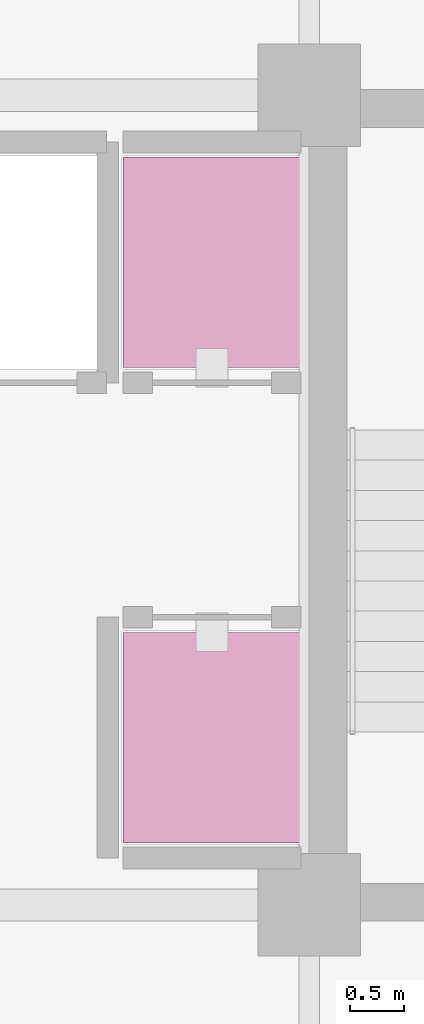
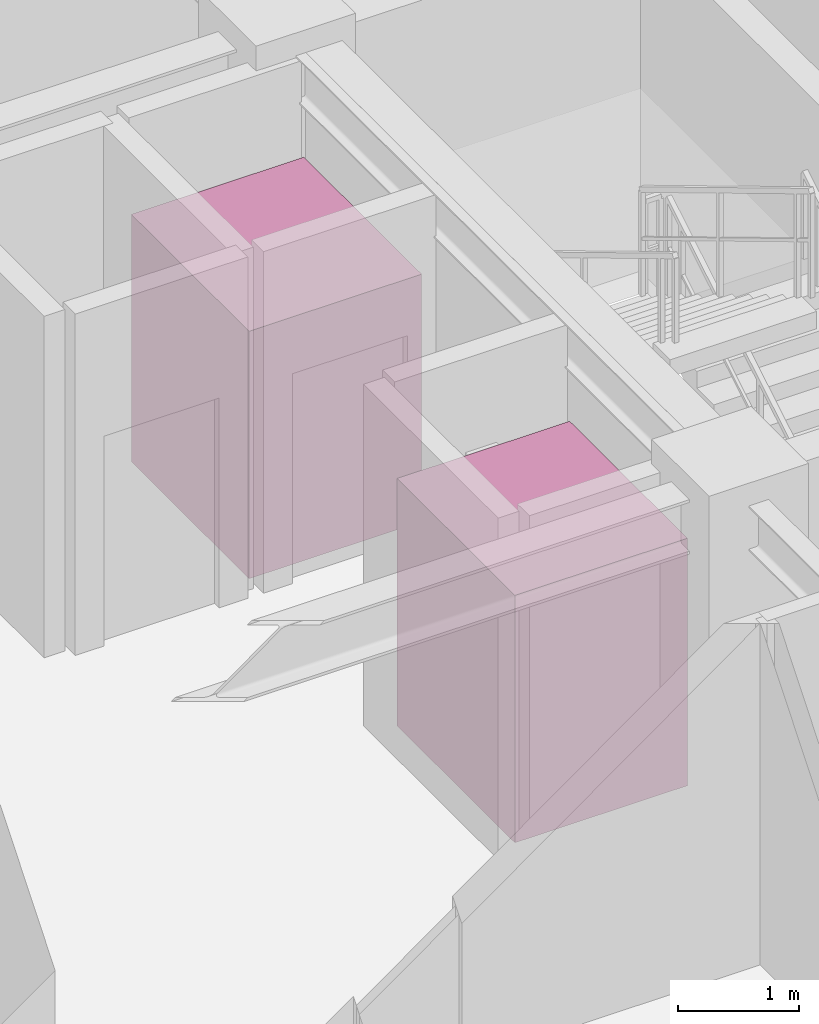
# One storey, part 14 of 14: 2 transport elements.
"""IFC4 building model written with IfcOpenShell, lengths in metres."""

import ifcopenshell
import ifcopenshell.guid

model = None  # the IFC model being written
_history = None  # IfcOwnerHistory: only IFC2X3 demands one
_inside = {}  # id of a spatial element -> (the spatial element, [elements in it])
_under = {}  # id of a project, library or spatial element -> (it, [spatial elements below it])
_declared = {}  # id of a project -> (the project, [libraries it declares])
_typed = {}  # id of a type object -> (the type object, [elements of that type])
_made_of = {}  # id of a material, layer set ... -> (it, [elements and type objects made of it])


def new_model(schema):
    """Start an empty IFC model of exactly this schema.

    Asked for "IFC4X3", IfcOpenShell would pick the latest addendum, in which some entities
    have other attributes; the version numbers below select the first issue.
    IFC2X3 requires an IfcOwnerHistory on every rooted entity: one is made here for all.
    """
    global model, _history
    if schema == "IFC4X3":
        model = ifcopenshell.file(schema_version=(4, 3, 0, 0))
    else:
        model = ifcopenshell.file(schema=schema)
    _inside.clear()
    _under.clear()
    _declared.clear()
    _typed.clear()
    _made_of.clear()
    _history = None
    if model.schema == "IFC2X3":
        org = make("IfcOrganization", Name="unknown")
        user = make(
            "IfcPersonAndOrganization",
            ThePerson=make("IfcPerson", FamilyName="unknown"),
            TheOrganization=org,
        )
        app = make(
            "IfcApplication",
            ApplicationDeveloper=org,
            Version="unknown",
            ApplicationFullName="unknown",
            ApplicationIdentifier="unknown",
        )
        _history = make(
            "IfcOwnerHistory",
            OwningUser=user,
            OwningApplication=app,
            ChangeAction="ADDED",
            CreationDate=0,
        )
    return model


def make(cls, **values):
    """One entity of the class cls with the attributes given. An attribute that is None is left unset."""
    return model.create_entity(
        cls, **{name: value for name, value in values.items() if value is not None}
    )


def rooted(cls, **values):
    """An entity with a GlobalId (a new one), such as an element, a storey or a relation."""
    return make(cls, GlobalId=ifcopenshell.guid.new(), OwnerHistory=_history, **values)


def si_unit(unit_type, name, prefix=None):
    """IfcSIUnit, for example si_unit("LENGTHUNIT", "METRE", prefix="MILLI")."""
    return make("IfcSIUnit", UnitType=unit_type, Prefix=prefix, Name=name)


def assignment(units):
    """IfcUnitAssignment: the units of a project."""
    return None if units is None else make("IfcUnitAssignment", Units=units)


def point(xyz):
    """IfcCartesianPoint."""
    return None if xyz is None else make("IfcCartesianPoint", Coordinates=xyz)


def direction(xyz):
    """IfcDirection."""
    return None if xyz is None else make("IfcDirection", DirectionRatios=xyz)


def frame(location, z_axis=None, x_axis=None):
    """IfcAxis2Placement3D, a coordinate frame: its origin and axes. An axis left out is left unset."""
    return make(
        "IfcAxis2Placement3D",
        Location=point(location),
        Axis=direction(z_axis),
        RefDirection=direction(x_axis),
    )


def frame_2d(location, x_axis=None):
    """IfcAxis2Placement2D, a coordinate frame in the plane: its origin and x axis."""
    return make(
        "IfcAxis2Placement2D", Location=point(location), RefDirection=direction(x_axis)
    )


def origin():
    """The frame at (0, 0, 0) with its axes left unset."""
    return frame((0.0, 0.0, 0.0))


def origin_2d():
    """The frame at (0, 0) in the plane with its x axis left unset."""
    return frame_2d((0.0, 0.0))


def place(relative_to, where):
    """IfcLocalPlacement: puts the frame where relative to a parent placement (None: the world)."""
    return make(
        "IfcLocalPlacement", PlacementRelTo=relative_to, RelativePlacement=where
    )


def context(
    kind, dimensions, precision=None, world=None, true_north=None, identifier=None
):
    """IfcGeometricRepresentationContext, for example the 3D "Model" context."""
    return make(
        "IfcGeometricRepresentationContext",
        ContextIdentifier=identifier,
        ContextType=kind,
        CoordinateSpaceDimension=dimensions,
        Precision=precision,
        WorldCoordinateSystem=world,
        TrueNorth=true_north,
    )


def subcontext(parent, identifier, kind, view, scale=None):
    """IfcGeometricRepresentationSubContext, for example "Body" below "Model"."""
    return make(
        "IfcGeometricRepresentationSubContext",
        ContextIdentifier=identifier,
        ContextType=kind,
        ParentContext=parent,
        TargetScale=scale,
        TargetView=view,
    )


def project(units=None, contexts=None):
    """IfcProject with its units and contexts."""
    return rooted(
        "IfcProject",
        Name="project",
        RepresentationContexts=contexts,
        UnitsInContext=assignment(units),
    )


def spatial(cls, under=None, at=None, **own):
    """A site, building, storey or space (cls), placed at a placement, below another one or the project."""
    s = rooted(cls, ObjectPlacement=at, **own)
    if under is not None:
        _under.setdefault(under.id(), (under, []))[1].append(s)
    return s


def profile(cls, at=None, kind="AREA", **sizes):
    """A parametric profile (cls). Its sizes go by their IFC names, for example OverallWidth=200.0."""
    return make(cls, ProfileType=kind, Position=at, **sizes)


def rectangle(**sizes):
    """IfcRectangleProfileDef."""
    return profile("IfcRectangleProfileDef", **sizes)


def extrude(swept, where, along, depth):
    """IfcExtrudedAreaSolid: the profile swept, set in the frame where, extruded along a direction by depth."""
    return make(
        "IfcExtrudedAreaSolid",
        SweptArea=swept,
        Position=where,
        ExtrudedDirection=direction(along),
        Depth=depth,
    )


def shape(context_of_items, identifier, shape_type, items):
    """IfcShapeRepresentation: the items that make up one representation, for example the "Body"."""
    return make(
        "IfcShapeRepresentation",
        ContextOfItems=context_of_items,
        RepresentationIdentifier=identifier,
        RepresentationType=shape_type,
        Items=items,
    )


def source(mapping_origin, context_of_items, identifier, shape_type, items):
    """IfcRepresentationMap: a shape defined once, which mapped items show again and again."""
    return make(
        "IfcRepresentationMap",
        MappingOrigin=mapping_origin,
        MappedRepresentation=shape(context_of_items, identifier, shape_type, items),
    )


def transform(
    local_origin,
    x_axis=None,
    y_axis=None,
    z_axis=None,
    scale=None,
    scale2=None,
    scale3=None,
    uniform=True,
):
    """IfcCartesianTransformationOperator3D, or its non-uniform kind. x_axis, y_axis, z_axis: its Axis1, 2, 3."""
    if uniform:
        return make(
            "IfcCartesianTransformationOperator3D",
            Axis1=direction(x_axis),
            Axis2=direction(y_axis),
            LocalOrigin=point(local_origin),
            Scale=scale,
            Axis3=direction(z_axis),
        )
    return make(
        "IfcCartesianTransformationOperator3DnonUniform",
        Axis1=direction(x_axis),
        Axis2=direction(y_axis),
        LocalOrigin=point(local_origin),
        Scale=scale,
        Axis3=direction(z_axis),
        Scale2=scale2,
        Scale3=scale3,
    )


def mapped(mapping_source, mapping_target):
    """IfcMappedItem: shows the shape of a source again, moved by a transform."""
    return make(
        "IfcMappedItem", MappingSource=mapping_source, MappingTarget=mapping_target
    )


def material(Name=None, Category=None):
    """IfcMaterial."""
    return make("IfcMaterial", Name=Name, Category=Category)


def made_of(thing, what):
    """Note that an element or type object is made of a material, layer set ...; save() writes the relation."""
    if what is not None:
        _made_of.setdefault(what.id(), (what, []))[1].append(thing)
    return thing


def type_object(cls, material=None, **own):
    """A type object (cls), such as IfcWallType, which elements share."""
    return made_of(rooted(cls, **own), material)


def element(
    cls,
    number,
    at=None,
    inside=None,
    cuts=None,
    type_object=None,
    material=None,
    context=None,
    identifier="Body",
    shape_type=None,
    held_by="IfcProductDefinitionShape",
    body=None,
    shapes=None,
    **own,
):
    """One element of the class cls, such as IfcWall. Its Tag is "e" and its number.

    at: its placement. inside: the storey or other place that contains it. cuts: it is an
    opening in that element (IfcRelVoidsElement). A single representation is given by context,
    identifier, shape_type and body (its items); several are given by shapes. held_by: the class
    of the entity that holds the representations. save() writes the other relations.
    """
    e = rooted(cls, Tag="e%d" % number, ObjectPlacement=at, **own)
    if body is not None:
        shapes = [shape(context, identifier, shape_type, body)]
    if shapes is not None:
        e.Representation = make(held_by, Representations=shapes)
    if inside is not None:
        _inside.setdefault(inside.id(), (inside, []))[1].append(e)
    if cuts is not None:
        rooted(
            "IfcRelVoidsElement", RelatingBuildingElement=cuts, RelatedOpeningElement=e
        )
    if type_object is not None:
        _typed.setdefault(type_object.id(), (type_object, []))[1].append(e)
    return made_of(e, material)


def aggregate(whole, parts):
    """IfcRelAggregates: a whole, such as a stair, and the parts it consists of."""
    return rooted("IfcRelAggregates", RelatingObject=whole, RelatedObjects=parts)


def save(model, path):
    """Write the relations noted so far, then the file.

    IfcRelAggregates (storeys below a building ...), IfcRelContainedInSpatialStructure (elements
    in a storey), IfcRelDefinesByType, IfcRelAssociatesMaterial and IfcRelDeclares: one each for
    every whole, place, type object, material and project.
    """
    for whole, parts in _under.values():
        aggregate(whole, parts)
    for where, things in _inside.values():
        rooted(
            "IfcRelContainedInSpatialStructure",
            RelatedElements=things,
            RelatingStructure=where,
        )
    for kind, things in _typed.values():
        rooted("IfcRelDefinesByType", RelatedObjects=things, RelatingType=kind)
    for what, things in _made_of.values():
        rooted("IfcRelAssociatesMaterial", RelatedObjects=things, RelatingMaterial=what)
    for by, libraries in _declared.values():
        rooted("IfcRelDeclares", RelatingContext=by, RelatedDefinitions=libraries)
    model.write(path)


model = new_model("IFC4")

# Units and contexts
model_context = context("Model", 3, precision=1e-05, world=origin(), true_north=direction((0.0, 1.0)))
body_context = subcontext(model_context, "Body", "Model", "MODEL_VIEW")
ifc_project = project(units=[si_unit("LENGTHUNIT", "METRE"), si_unit("AREAUNIT", "SQUARE_METRE"), si_unit("VOLUMEUNIT", "CUBIC_METRE"), si_unit("PLANEANGLEUNIT", "RADIAN"), si_unit("MASSUNIT", "GRAM", prefix="KILO")], contexts=[model_context])

# Site, building, storey
site_placement = place(None, origin())
site = spatial("IfcSite", under=ifc_project, at=site_placement, CompositionType="ELEMENT")
building_placement = place(site_placement, origin())
building = spatial("IfcBuilding", under=site, at=building_placement, Name="Kaliganga Portal Commons", CompositionType="ELEMENT")
storey_placement = place(building_placement, frame((0.0, 0.0, 220.300048828125)))
storey = spatial("IfcBuildingStorey", under=building, at=storey_placement, Name="L56", CompositionType="ELEMENT", Elevation=220.300048828125)

# Transport elements
ifc_material = material(Name="Stainless Steel 316 Lift Car Assembly", Category="steel")
transport_element_type = type_object("IfcTransportElementType", Name="XPT-ELEV-PASS", PredefinedType="ELEVATOR", material=ifc_material)
shared_shape = source(origin(), body_context, "Body", "SweptSolid", [
    extrude(rectangle(XDim=1.64990234375, YDim=1.949951171875, at=origin_2d()), origin(), (0.0, 0.0, 1.0), 2.5),
])
for number, where, z_axis, x_axis, name in (
    (1, (13.5, 34.60009765625, 0.0), (0.0, 0.0, 1.0), (1.0, 0.0, 0.0), "Passenger Lift PL-A3"),
    (2, (13.5, 30.199951171875, 0.0), (0.0, 0.0, 1.0), (1.0, 0.0, 0.0), "Passenger Lift PL-A4"),
):
    element("IfcTransportElement", number, at=place(storey_placement, frame(where, z_axis=z_axis, x_axis=x_axis)), inside=storey, type_object=transport_element_type, Name=name, PredefinedType="ELEVATOR", context=body_context, shape_type="MappedRepresentation", body=[
        mapped(shared_shape, transform((0.0, 0.0, 0.0), x_axis=(1.0, 0.0, 0.0), y_axis=(0.0, 1.0, 0.0), z_axis=(0.0, 0.0, 1.0), scale=1.0)),
    ])

save(model, "model.ifc")
